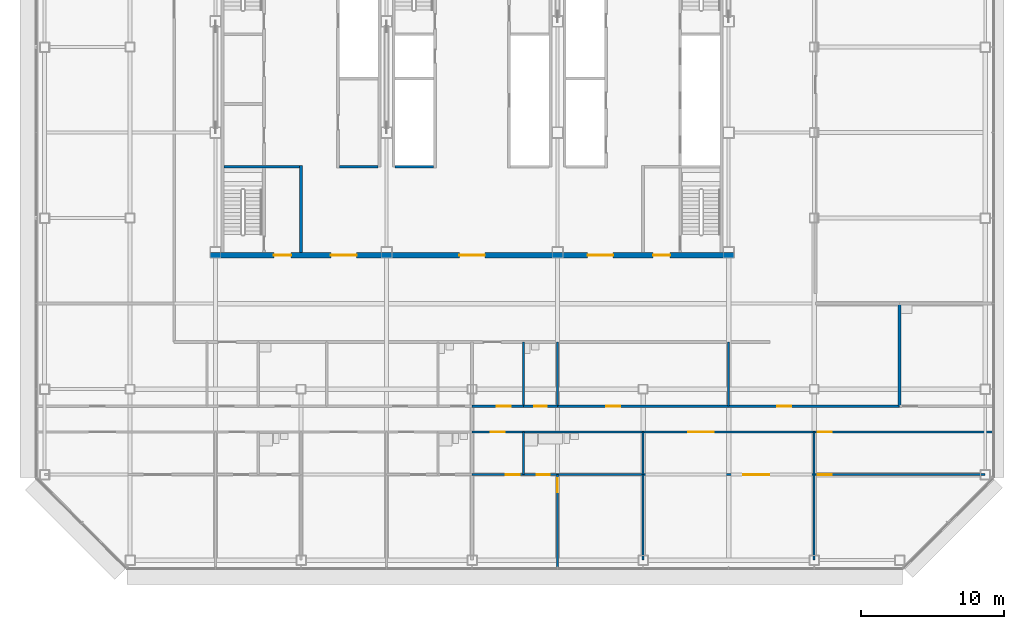
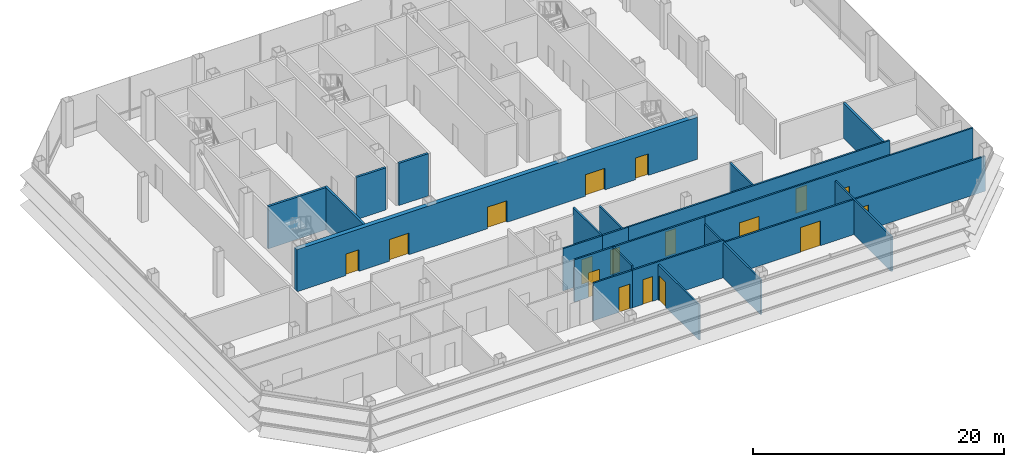
# One storey, part 20 of 26: 23 walls, 17 doors, 17 openings.
"""IFC4 building model written with IfcOpenShell, lengths in metres."""

from ifc_helpers import new_model, si_unit, direction, frame, frame_2d, origin, place, context, subcontext, project, spatial, rectangle, extrude, material, layer, layer_set, type_object, element, fill, save


model = new_model("IFC4")

# Units and contexts
model_context = context("Model", 3, precision=1e-05, world=origin(), true_north=direction((0.0, 1.0)))
body_context = subcontext(model_context, "Body", "Model", "MODEL_VIEW")
ifc_project = project(units=[si_unit("LENGTHUNIT", "METRE"), si_unit("AREAUNIT", "SQUARE_METRE"), si_unit("VOLUMEUNIT", "CUBIC_METRE"), si_unit("PLANEANGLEUNIT", "RADIAN"), si_unit("MASSUNIT", "GRAM", prefix="KILO")], contexts=[model_context])

# Site, building, storey
site_placement = place(None, origin())
site = spatial("IfcSite", under=ifc_project, at=site_placement, CompositionType="ELEMENT")
building_placement = place(site_placement, origin())
building = spatial("IfcBuilding", under=site, at=building_placement, Name="Sorahane Residences", CompositionType="ELEMENT")
storey_placement = place(building_placement, frame((0.0, 0.0, 181.60009765625)))
storey = spatial("IfcBuildingStorey", under=building, at=storey_placement, Name="L42", CompositionType="ELEMENT", Elevation=181.60009765625)

# Walls
ifc_material_1 = material(Name="Concrete C30", Category="concrete")
ifc_layer_1 = layer(ifc_material_1, 0.199951171875)
ifc_layer_set_1 = layer_set([ifc_layer_1], Name="Front room wall 200 EI 120")
wall_type_1 = type_object("IfcWallType", Name="Front room wall 200 EI 120", PredefinedType="PARTITIONING", material=ifc_layer_set_1)
wall_1_placement = place(storey_placement, frame((12.0, 21.60009765625, 0.0), z_axis=(0.0, 0.0, 1.0), x_axis=(0.0, 1.0, 0.0)))
element("IfcWall", 1, at=wall_1_placement, inside=storey, type_object=wall_type_1, Name="L42 front room wall", PredefinedType="PARTITIONING", context=body_context, shape_type="SweptSolid", body=[
    extrude(rectangle(XDim=6.099853515625, YDim=0.199951171875, at=frame_2d((3.0498046875, 0.0))), origin(), (0.0, 0.0, 1.0), 4.099853515625),
])
ifc_material_2 = material(Name="Concrete blockwork C20 wall", Category="masonry")
ifc_layer_2 = layer(ifc_material_2, 0.199951171875)
ifc_layer_set_2 = layer_set([ifc_layer_2], Name="Kitchen wall 200 EI 180")
wall_type_2 = type_object("IfcWallType", Name="Kitchen wall 200 EI 180", PredefinedType="SOLIDWALL", material=ifc_layer_set_2)
wall_2_placement = place(storey_placement, frame((54.0, 10.800048828125, 0.0), z_axis=(0.0, 0.0, 1.0), x_axis=(0.0, 1.0, 0.0)))
element("IfcWall", 2, at=wall_2_placement, inside=storey, type_object=wall_type_2, Name="L42 kitchen wall", PredefinedType="SOLIDWALL", context=body_context, shape_type="SweptSolid", body=[
    extrude(rectangle(XDim=7.199951171875, YDim=0.199951171875, at=frame_2d((3.60009765625, 0.0))), origin(), (0.0, 0.0, 1.0), 3.39990234375),
])
ifc_material_3 = material(Name="Concrete C30", Category="concrete")
ifc_layer_3 = layer(ifc_material_3, 0.199951171875)
ifc_layer_set_3 = layer_set([ifc_layer_3], Name="Lift shaft wall 200 EI 120")
wall_type_3 = type_object("IfcWallType", Name="Lift shaft wall 200 EI 120", PredefinedType="SOLIDWALL", material=ifc_layer_set_3)
wall_3_placement = place(storey_placement, frame((18.60009765625, 27.60009765625, 0.0), z_axis=(0.0, 0.0, 1.0), x_axis=(1.0, 0.0, 0.0)))
element("IfcWall", 3, at=wall_3_placement, inside=storey, type_object=wall_type_3, Name="L42 lift shaft wall", PredefinedType="SOLIDWALL", context=body_context, shape_type="SweptSolid", body=[
    extrude(rectangle(XDim=2.699951171875, YDim=0.199951171875, at=frame_2d((1.35009765625, 0.0))), origin(), (0.0, 0.0, 1.0), 4.099853515625),
])

# Wall, opening, door
ifc_material_4 = material(Name="Gypsum board partition on steel studs", Category="steel")
ifc_layer_4 = layer(ifc_material_4, 0.14990234375)
ifc_layer_set_4 = layer_set([ifc_layer_4], Name="Partition 150 EI 90")
wall_type_4 = type_object("IfcWallType", Name="Partition 150 EI 90", PredefinedType="PARTITIONING", material=ifc_layer_set_4)
wall_4_placement = place(storey_placement, frame((30.0, -0.60009765625, 0.0), z_axis=(0.0, 0.0, 1.0), x_axis=(0.0, 1.0, 0.0)))
wall_4 = element("IfcWall", 4, at=wall_4_placement, inside=storey, type_object=wall_type_4, Name="L42 partition", PredefinedType="PARTITIONING", context=body_context, shape_type="SweptSolid", body=[
    extrude(rectangle(XDim=6.60009765625, YDim=0.14990234375, at=frame_2d((3.300048828125, 0.0))), origin(), (0.0, 0.0, 1.0), 3.39990234375),
])
opening_1_placement = place(wall_4_placement, frame((5.35009765625, 0.0, 0.0)))
opening_1 = element("IfcOpeningElement", 5, at=opening_1_placement, cuts=wall_4, Name="Opening L42-24", PredefinedType="OPENING", context=body_context, shape_type="SweptSolid", body=[
    extrude(rectangle(XDim=1.0, YDim=2.39990234375, at=frame_2d((0.5, 1.199951171875))), frame((0.0, 0.0849609375, 0.0), z_axis=(0.0, -1.0, 0.0), x_axis=(1.0, 0.0, 0.0)), (0.0, 0.0, 1.0), 0.169921875),
])
ifc_material_5 = material(Name="Timber veneered fire door", Category="wood")
door_type_1 = type_object("IfcDoorType", Name="Room door 1000x2400 FD30", OperationType="NOTDEFINED", PredefinedType="DOOR", material=ifc_material_5)
door_1_placement = place(opening_1_placement, frame((1.0, 0.0, 0.0), z_axis=(0.0, 0.0, 1.0), x_axis=(-1.0, 0.0, 0.0)))
door_1 = element("IfcDoor", 6, at=door_1_placement, inside=storey, type_object=door_type_1, Name="Room door L42-24", OperationType="SINGLE_SWING_RIGHT", OverallHeight=2.39990234375, OverallWidth=1.0, PredefinedType="DOOR", context=body_context, shape_type="SweptSolid", body=[
    extrude(rectangle(XDim=1.0, YDim=2.39990234375, at=frame_2d((0.5, 1.199951171875))), frame((0.0, 0.02490234375, 0.0), z_axis=(0.0, -1.0, 0.0), x_axis=(1.0, 0.0, 0.0)), (0.0, 0.0, 1.0), 0.050048828125),
])
fill(opening_1, door_1)

# Walls
wall_5_placement = place(storey_placement, frame((36.0, 0.0, 0.0), z_axis=(0.0, 0.0, 1.0), x_axis=(0.0, 1.0, 0.0)))
element("IfcWall", 7, at=wall_5_placement, inside=storey, type_object=wall_type_4, Name="L42 partition", PredefinedType="PARTITIONING", context=body_context, shape_type="SweptSolid", body=[
    extrude(rectangle(XDim=6.0, YDim=0.14990234375, at=frame_2d((3.0, 0.0))), origin(), (0.0, 0.0, 1.0), 3.39990234375),
])
wall_6_placement = place(storey_placement, frame((42.0, 10.800048828125, 0.0), z_axis=(0.0, 0.0, 1.0), x_axis=(0.0, 1.0, 0.0)))
element("IfcWall", 8, at=wall_6_placement, inside=storey, type_object=wall_type_4, Name="L42 partition", PredefinedType="PARTITIONING", context=body_context, shape_type="SweptSolid", body=[
    extrude(rectangle(XDim=4.5, YDim=0.14990234375, at=frame_2d((2.25, 0.0))), origin(), (0.0, 0.0, 1.0), 3.39990234375),
])
wall_7_placement = place(storey_placement, frame((48.0, 0.0, 0.0), z_axis=(0.0, 0.0, 1.0), x_axis=(0.0, 1.0, 0.0)))
element("IfcWall", 9, at=wall_7_placement, inside=storey, type_object=wall_type_4, Name="L42 partition", PredefinedType="PARTITIONING", context=body_context, shape_type="SweptSolid", body=[
    extrude(rectangle(XDim=9.0, YDim=0.14990234375, at=frame_2d((4.5, 0.0))), origin(), (0.0, 0.0, 1.0), 3.39990234375),
])

# Wall, opening, door
wall_8_placement = place(storey_placement, frame((24.0, 10.800048828125, 0.0), z_axis=(0.0, 0.0, 1.0), x_axis=(1.0, 0.0, 0.0)))
wall_8 = element("IfcWall", 10, at=wall_8_placement, inside=storey, type_object=wall_type_4, Name="L42 partition", PredefinedType="PARTITIONING", context=body_context, shape_type="SweptSolid", body=[
    extrude(rectangle(XDim=3.60009765625, YDim=0.14990234375, at=frame_2d((1.800048828125, 0.0))), origin(), (0.0, 0.0, 1.0), 4.099853515625),
])
opening_2_placement = place(wall_8_placement, frame((1.719970703125, 0.0, 0.0)))
opening_2 = element("IfcOpeningElement", 11, at=opening_2_placement, cuts=wall_8, Name="Opening L42-15", PredefinedType="OPENING", context=body_context, shape_type="SweptSolid", body=[
    extrude(rectangle(XDim=1.0, YDim=2.39990234375, at=frame_2d((0.5, 1.199951171875))), frame((0.0, 0.0849609375, 0.0), z_axis=(0.0, -1.0, 0.0), x_axis=(1.0, 0.0, 0.0)), (0.0, 0.0, 1.0), 0.169921875),
])
door_2_placement = place(opening_2_placement, frame((1.0, 0.0, 0.0), z_axis=(0.0, 0.0, 1.0), x_axis=(-1.0, 0.0, 0.0)))
door_2 = element("IfcDoor", 12, at=door_2_placement, inside=storey, type_object=door_type_1, Name="Room door L42-15", OperationType="SINGLE_SWING_RIGHT", OverallHeight=2.39990234375, OverallWidth=1.0, PredefinedType="DOOR", context=body_context, shape_type="SweptSolid", body=[
    extrude(rectangle(XDim=1.0, YDim=2.39990234375, at=frame_2d((0.5, 1.199951171875))), frame((0.0, 0.02490234375, 0.0), z_axis=(0.0, -1.0, 0.0), x_axis=(1.0, 0.0, 0.0)), (0.0, 0.0, 1.0), 0.050048828125),
])
fill(opening_2, door_2)

# Wall, openings, doors
wall_9_placement = place(storey_placement, frame((30.0, 10.800048828125, 0.0), z_axis=(0.0, 0.0, 1.0), x_axis=(1.0, 0.0, 0.0)))
wall_9 = element("IfcWall", 13, at=wall_9_placement, inside=storey, type_object=wall_type_4, Name="L42 partition", PredefinedType="PARTITIONING", context=body_context, shape_type="SweptSolid", body=[
    extrude(rectangle(XDim=24.0, YDim=0.14990234375, at=frame_2d((12.0, 0.0))), origin(), (0.0, 0.0, 1.0), 4.099853515625),
])
opening_3_placement = place(wall_9_placement, frame((3.39990234375, 0.0, 0.0)))
opening_3 = element("IfcOpeningElement", 14, at=opening_3_placement, cuts=wall_9, Name="Opening L42-17", PredefinedType="OPENING", context=body_context, shape_type="SweptSolid", body=[
    extrude(rectangle(XDim=1.0, YDim=2.39990234375, at=frame_2d((0.5, 1.199951171875))), frame((0.0, 0.0849609375, 0.0), z_axis=(0.0, -1.0, 0.0), x_axis=(1.0, 0.0, 0.0)), (0.0, 0.0, 1.0), 0.169921875),
])
opening_4_placement = place(wall_9_placement, frame((15.39990234375, 0.0, 0.0)))
opening_4 = element("IfcOpeningElement", 15, at=opening_4_placement, cuts=wall_9, Name="Opening L42-18", PredefinedType="OPENING", context=body_context, shape_type="SweptSolid", body=[
    extrude(rectangle(XDim=1.0, YDim=2.39990234375, at=frame_2d((0.5, 1.199951171875))), frame((0.0, 0.0849609375, 0.0), z_axis=(0.0, -1.0, 0.0), x_axis=(1.0, 0.0, 0.0)), (0.0, 0.0, 1.0), 0.169921875),
])
door_3_placement = place(opening_3_placement, origin())
door_3 = element("IfcDoor", 16, at=door_3_placement, inside=storey, type_object=door_type_1, Name="Room door L42-17", OperationType="SINGLE_SWING_RIGHT", OverallHeight=2.39990234375, OverallWidth=1.0, PredefinedType="DOOR", context=body_context, shape_type="SweptSolid", body=[
    extrude(rectangle(XDim=1.0, YDim=2.39990234375, at=frame_2d((0.5, 1.199951171875))), frame((0.0, 0.02490234375, 0.0), z_axis=(0.0, -1.0, 0.0), x_axis=(1.0, 0.0, 0.0)), (0.0, 0.0, 1.0), 0.050048828125),
])
fill(opening_3, door_3)
door_4_placement = place(opening_4_placement, origin())
door_4 = element("IfcDoor", 17, at=door_4_placement, inside=storey, type_object=door_type_1, Name="Room door L42-18", OperationType="SINGLE_SWING_RIGHT", OverallHeight=2.39990234375, OverallWidth=1.0, PredefinedType="DOOR", context=body_context, shape_type="SweptSolid", body=[
    extrude(rectangle(XDim=1.0, YDim=2.39990234375, at=frame_2d((0.5, 1.199951171875))), frame((0.0, 0.02490234375, 0.0), z_axis=(0.0, -1.0, 0.0), x_axis=(1.0, 0.0, 0.0)), (0.0, 0.0, 1.0), 0.050048828125),
])
fill(opening_4, door_4)

# Wall, opening, door
wall_10_placement = place(storey_placement, frame((24.0, 6.0, 0.0), z_axis=(0.0, 0.0, 1.0), x_axis=(1.0, 0.0, 0.0)))
wall_10 = element("IfcWall", 18, at=wall_10_placement, inside=storey, type_object=wall_type_4, Name="L42 partition", PredefinedType="PARTITIONING", context=body_context, shape_type="SweptSolid", body=[
    extrude(rectangle(XDim=3.60009765625, YDim=0.14990234375, at=frame_2d((1.800048828125, 0.0))), origin(), (0.0, 0.0, 1.0), 3.64990234375),
])
opening_5_placement = place(wall_10_placement, frame((2.35009765625, 0.0, 0.0)))
opening_5 = element("IfcOpeningElement", 19, at=opening_5_placement, cuts=wall_10, Name="Opening L42-23", PredefinedType="OPENING", context=body_context, shape_type="SweptSolid", body=[
    extrude(rectangle(XDim=1.0, YDim=2.39990234375, at=frame_2d((0.5, 1.199951171875))), frame((0.0, 0.0849609375, 0.0), z_axis=(0.0, -1.0, 0.0), x_axis=(1.0, 0.0, 0.0)), (0.0, 0.0, 1.0), 0.169921875),
])
door_5_placement = place(opening_5_placement, frame((1.0, 0.0, 0.0), z_axis=(0.0, 0.0, 1.0), x_axis=(-1.0, 0.0, 0.0)))
door_5 = element("IfcDoor", 20, at=door_5_placement, inside=storey, type_object=door_type_1, Name="Room door L42-23", OperationType="SINGLE_SWING_RIGHT", OverallHeight=2.39990234375, OverallWidth=1.0, PredefinedType="DOOR", context=body_context, shape_type="SweptSolid", body=[
    extrude(rectangle(XDim=1.0, YDim=2.39990234375, at=frame_2d((0.5, 1.199951171875))), frame((0.0, 0.02490234375, 0.0), z_axis=(0.0, -1.0, 0.0), x_axis=(1.0, 0.0, 0.0)), (0.0, 0.0, 1.0), 0.050048828125),
])
fill(opening_5, door_5)

# Wall, openings, doors
wall_11_placement = place(storey_placement, frame((36.0, 6.0, 0.0), z_axis=(0.0, 0.0, 1.0), x_axis=(1.0, 0.0, 0.0)))
wall_11 = element("IfcWall", 21, at=wall_11_placement, inside=storey, type_object=wall_type_4, Name="L42 partition", PredefinedType="PARTITIONING", context=body_context, shape_type="SweptSolid", body=[
    extrude(rectangle(XDim=24.0, YDim=0.14990234375, at=frame_2d((12.0, 0.0))), origin(), (0.0, 0.0, 1.0), 3.39990234375),
])
opening_6_placement = place(wall_11_placement, frame((7.0400390625, 0.0, 0.0)))
opening_6 = element("IfcOpeningElement", 22, at=opening_6_placement, cuts=wall_11, Name="Opening L42-26", PredefinedType="OPENING", context=body_context, shape_type="SweptSolid", body=[
    extrude(rectangle(XDim=1.800048828125, YDim=2.39990234375, at=frame_2d((0.89990234375, 1.199951171875))), frame((0.0, 0.0849609375, 0.0), z_axis=(0.0, -1.0, 0.0), x_axis=(1.0, 0.0, 0.0)), (0.0, 0.0, 1.0), 0.169921875),
])
opening_7_placement = place(wall_11_placement, frame((12.25, 0.0, 0.0)))
opening_7 = element("IfcOpeningElement", 23, at=opening_7_placement, cuts=wall_11, Name="Opening L42-27", PredefinedType="OPENING", context=body_context, shape_type="SweptSolid", body=[
    extrude(rectangle(XDim=1.0, YDim=2.39990234375, at=frame_2d((0.5, 1.199951171875))), frame((0.0, 0.0849609375, 0.0), z_axis=(0.0, -1.0, 0.0), x_axis=(1.0, 0.0, 0.0)), (0.0, 0.0, 1.0), 0.169921875),
])
ifc_material_6 = material(Name="Timber veneered fire door", Category="wood")
door_type_2 = type_object("IfcDoorType", Name="Double door 1800x2400 FD30", OperationType="NOTDEFINED", PredefinedType="DOOR", material=ifc_material_6)
door_6_placement = place(opening_6_placement, frame((1.800048828125, 0.0, 0.0), z_axis=(0.0, 0.0, 1.0), x_axis=(-1.0, 0.0, 0.0)))
door_6 = element("IfcDoor", 24, at=door_6_placement, inside=storey, type_object=door_type_2, Name="Double door L42-26", OperationType="SINGLE_SWING_LEFT", OverallHeight=2.39990234375, OverallWidth=1.800048828125, PredefinedType="DOOR", context=body_context, shape_type="SweptSolid", body=[
    extrude(rectangle(XDim=1.800048828125, YDim=2.39990234375, at=frame_2d((0.89990234375, 1.199951171875))), frame((0.0, 0.02490234375, 0.0), z_axis=(0.0, -1.0, 0.0), x_axis=(1.0, 0.0, 0.0)), (0.0, 0.0, 1.0), 0.050048828125),
])
fill(opening_6, door_6)
door_7_placement = place(opening_7_placement, frame((1.0, 0.0, 0.0), z_axis=(0.0, 0.0, 1.0), x_axis=(-1.0, 0.0, 0.0)))
door_7 = element("IfcDoor", 25, at=door_7_placement, inside=storey, type_object=door_type_1, Name="Room door L42-27", OperationType="SINGLE_SWING_LEFT", OverallHeight=2.39990234375, OverallWidth=1.0, PredefinedType="DOOR", context=body_context, shape_type="SweptSolid", body=[
    extrude(rectangle(XDim=1.0, YDim=2.39990234375, at=frame_2d((0.5, 1.199951171875))), frame((0.0, 0.02490234375, 0.0), z_axis=(0.0, -1.0, 0.0), x_axis=(1.0, 0.0, 0.0)), (0.0, 0.0, 1.0), 0.050048828125),
])
fill(opening_7, door_7)

# Wall, opening, door
wall_12_placement = place(storey_placement, frame((24.0, 9.0, 0.0), z_axis=(0.0, 0.0, 1.0), x_axis=(1.0, 0.0, 0.0)))
wall_12 = element("IfcWall", 26, at=wall_12_placement, inside=storey, type_object=wall_type_4, Name="L42 partition", PredefinedType="PARTITIONING", context=body_context, shape_type="SweptSolid", body=[
    extrude(rectangle(XDim=3.60009765625, YDim=0.14990234375, at=frame_2d((1.800048828125, 0.0))), origin(), (0.0, 0.0, 1.0), 4.099853515625),
])
opening_8_placement = place(wall_12_placement, frame((1.300048828125, 0.0, 0.0)))
opening_8 = element("IfcOpeningElement", 27, at=opening_8_placement, cuts=wall_12, Name="Opening L42-20", PredefinedType="OPENING", context=body_context, shape_type="SweptSolid", body=[
    extrude(rectangle(XDim=1.0, YDim=2.39990234375, at=frame_2d((0.5, 1.199951171875))), frame((0.0, 0.0849609375, 0.0), z_axis=(0.0, -1.0, 0.0), x_axis=(1.0, 0.0, 0.0)), (0.0, 0.0, 1.0), 0.169921875),
])
door_8_placement = place(opening_8_placement, frame((1.0, 0.0, 0.0), z_axis=(0.0, 0.0, 1.0), x_axis=(-1.0, 0.0, 0.0)))
door_8 = element("IfcDoor", 28, at=door_8_placement, inside=storey, type_object=door_type_1, Name="Room door L42-20", OperationType="SINGLE_SWING_LEFT", OverallHeight=2.39990234375, OverallWidth=1.0, PredefinedType="DOOR", context=body_context, shape_type="SweptSolid", body=[
    extrude(rectangle(XDim=1.0, YDim=2.39990234375, at=frame_2d((0.5, 1.199951171875))), frame((0.0, 0.02490234375, 0.0), z_axis=(0.0, -1.0, 0.0), x_axis=(1.0, 0.0, 0.0)), (0.0, 0.0, 1.0), 0.050048828125),
])
fill(opening_8, door_8)

# Wall, openings, doors
wall_13_placement = place(storey_placement, frame((36.0, 9.0, 0.0), z_axis=(0.0, 0.0, 1.0), x_axis=(1.0, 0.0, 0.0)))
wall_13 = element("IfcWall", 29, at=wall_13_placement, inside=storey, type_object=wall_type_4, Name="L42 partition", PredefinedType="PARTITIONING", context=body_context, shape_type="SweptSolid", body=[
    extrude(rectangle(XDim=24.60009765625, YDim=0.14990234375, at=frame_2d((12.300048828125, 0.0))), origin(), (0.0, 0.0, 1.0), 4.099853515625),
])
opening_9_placement = place(wall_13_placement, frame((3.159912109375, 0.0, 0.0)))
opening_9 = element("IfcOpeningElement", 30, at=opening_9_placement, cuts=wall_13, Name="Opening L42-21", PredefinedType="OPENING", context=body_context, shape_type="SweptSolid", body=[
    extrude(rectangle(XDim=1.800048828125, YDim=2.39990234375, at=frame_2d((0.89990234375, 1.199951171875))), frame((0.0, 0.0849609375, 0.0), z_axis=(0.0, -1.0, 0.0), x_axis=(1.0, 0.0, 0.0)), (0.0, 0.0, 1.0), 0.169921875),
])
opening_10_placement = place(wall_13_placement, frame((12.25, 0.0, 0.0)))
opening_10 = element("IfcOpeningElement", 31, at=opening_10_placement, cuts=wall_13, Name="Opening L42-22", PredefinedType="OPENING", context=body_context, shape_type="SweptSolid", body=[
    extrude(rectangle(XDim=1.0, YDim=2.39990234375, at=frame_2d((0.5, 1.199951171875))), frame((0.0, 0.0849609375, 0.0), z_axis=(0.0, -1.0, 0.0), x_axis=(1.0, 0.0, 0.0)), (0.0, 0.0, 1.0), 0.169921875),
])
door_9_placement = place(opening_9_placement, frame((1.800048828125, 0.0, 0.0), z_axis=(0.0, 0.0, 1.0), x_axis=(-1.0, 0.0, 0.0)))
door_9 = element("IfcDoor", 32, at=door_9_placement, inside=storey, type_object=door_type_2, Name="Double door L42-21", OperationType="SINGLE_SWING_LEFT", OverallHeight=2.39990234375, OverallWidth=1.800048828125, PredefinedType="DOOR", context=body_context, shape_type="SweptSolid", body=[
    extrude(rectangle(XDim=1.800048828125, YDim=2.39990234375, at=frame_2d((0.89990234375, 1.199951171875))), frame((0.0, 0.02490234375, 0.0), z_axis=(0.0, -1.0, 0.0), x_axis=(1.0, 0.0, 0.0)), (0.0, 0.0, 1.0), 0.050048828125),
])
fill(opening_9, door_9)
door_10_placement = place(opening_10_placement, frame((1.0, 0.0, 0.0), z_axis=(0.0, 0.0, 1.0), x_axis=(-1.0, 0.0, 0.0)))
door_10 = element("IfcDoor", 33, at=door_10_placement, inside=storey, type_object=door_type_1, Name="Room door L42-22", OperationType="SINGLE_SWING_LEFT", OverallHeight=2.39990234375, OverallWidth=1.0, PredefinedType="DOOR", context=body_context, shape_type="SweptSolid", body=[
    extrude(rectangle(XDim=1.0, YDim=2.39990234375, at=frame_2d((0.5, 1.199951171875))), frame((0.0, 0.02490234375, 0.0), z_axis=(0.0, -1.0, 0.0), x_axis=(1.0, 0.0, 0.0)), (0.0, 0.0, 1.0), 0.050048828125),
])
fill(opening_10, door_10)

# Walls
ifc_material_7 = material(Name="Concrete C30", Category="concrete")
ifc_layer_5 = layer(ifc_material_7, 0.199951171875)
ifc_layer_set_5 = layer_set([ifc_layer_5], Name="Service room partition 200 EI 60")
wall_type_5 = type_object("IfcWallType", Name="Service room partition 200 EI 60", PredefinedType="PARTITIONING", material=ifc_layer_set_5)
wall_14_placement = place(storey_placement, frame((14.699951171875, 27.60009765625, 0.0), z_axis=(0.0, 0.0, 1.0), x_axis=(1.0, 0.0, 0.0)))
element("IfcWall", 34, at=wall_14_placement, inside=storey, type_object=wall_type_5, Name="L42 service room wall", PredefinedType="PARTITIONING", context=body_context, shape_type="SweptSolid", body=[
    extrude(rectangle(XDim=2.699951171875, YDim=0.199951171875, at=frame_2d((1.35009765625, 0.0))), origin(), (0.0, 0.0, 1.0), 4.099853515625),
])
ifc_material_8 = material(Name="Concrete C30", Category="concrete")
ifc_layer_6 = layer(ifc_material_8, 0.199951171875)
ifc_layer_set_6 = layer_set([ifc_layer_6], Name="Stair enclosure wall 200 EI 120")
wall_type_6 = type_object("IfcWallType", Name="Stair enclosure wall 200 EI 120", PredefinedType="SOLIDWALL", material=ifc_layer_set_6)
wall_15_placement = place(storey_placement, frame((6.60009765625, 27.60009765625, 0.0), z_axis=(0.0, 0.0, 1.0), x_axis=(1.0, 0.0, 0.0)))
element("IfcWall", 35, at=wall_15_placement, inside=storey, type_object=wall_type_6, Name="L42 stair enclosure wall", PredefinedType="SOLIDWALL", context=body_context, shape_type="SweptSolid", body=[
    extrude(rectangle(XDim=5.2998046875, YDim=0.199951171875, at=frame_2d((2.64990234375, 0.0))), origin(), (0.0, 0.0, 1.0), 4.099853515625),
])

# Wall, openings, doors
ifc_material_9 = material(Name="Concrete C30", Category="concrete")
ifc_layer_7 = layer(ifc_material_9, 0.39990234375)
ifc_layer_set_7 = layer_set([ifc_layer_7], Name="Waiting hall wall 400 EI 120")
wall_type_7 = type_object("IfcWallType", Name="Waiting hall wall 400 EI 120", PredefinedType="SOLIDWALL", material=ifc_layer_set_7)
wall_16_placement = place(storey_placement, frame((5.60009765625, 21.39990234375, 0.0), z_axis=(0.0, 0.0, 1.0), x_axis=(1.0, 0.0, 0.0)))
wall_16 = element("IfcWall", 36, at=wall_16_placement, inside=storey, type_object=wall_type_7, Name="L42 waiting hall wall", PredefinedType="SOLIDWALL", context=body_context, shape_type="SweptSolid", body=[
    extrude(rectangle(XDim=36.7998046875, YDim=0.39990234375, at=frame_2d((18.39990234375, 0.0))), origin(), (0.0, 0.0, 1.0), 4.099853515625),
])
opening_11_placement = place(wall_16_placement, frame((8.5, 0.0, 0.0)))
opening_11 = element("IfcOpeningElement", 37, at=opening_11_placement, cuts=wall_16, Name="Opening L42-C01", PredefinedType="OPENING", context=body_context, shape_type="SweptSolid", body=[
    extrude(rectangle(XDim=1.800048828125, YDim=2.10009765625, at=frame_2d((0.89990234375, 1.050048828125))), frame((0.0, 0.2099609375, 0.0), z_axis=(0.0, -1.0, 0.0), x_axis=(1.0, 0.0, 0.0)), (0.0, 0.0, 1.0), 0.419921875),
])
opening_12_placement = place(wall_16_placement, frame((17.5, 0.0, 0.0)))
opening_12 = element("IfcOpeningElement", 38, at=opening_12_placement, cuts=wall_16, Name="Opening L42-C02", PredefinedType="OPENING", context=body_context, shape_type="SweptSolid", body=[
    extrude(rectangle(XDim=1.800048828125, YDim=2.10009765625, at=frame_2d((0.89990234375, 1.050048828125))), frame((0.0, 0.2099609375, 0.0), z_axis=(0.0, -1.0, 0.0), x_axis=(1.0, 0.0, 0.0)), (0.0, 0.0, 1.0), 0.419921875),
])
opening_13_placement = place(wall_16_placement, frame((26.5, 0.0, 0.0)))
opening_13 = element("IfcOpeningElement", 39, at=opening_13_placement, cuts=wall_16, Name="Opening L42-C03", PredefinedType="OPENING", context=body_context, shape_type="SweptSolid", body=[
    extrude(rectangle(XDim=1.800048828125, YDim=2.10009765625, at=frame_2d((0.89990234375, 1.050048828125))), frame((0.0, 0.2099609375, 0.0), z_axis=(0.0, -1.0, 0.0), x_axis=(1.0, 0.0, 0.0)), (0.0, 0.0, 1.0), 0.419921875),
])
opening_14_placement = place(wall_16_placement, frame((4.5, 0.0, 0.0)))
opening_14 = element("IfcOpeningElement", 40, at=opening_14_placement, cuts=wall_16, Name="Opening L42-C04", PredefinedType="OPENING", context=body_context, shape_type="SweptSolid", body=[
    extrude(rectangle(XDim=1.199951171875, YDim=2.10009765625, at=frame_2d((0.60009765625, 1.050048828125))), frame((0.0, 0.2099609375, 0.0), z_axis=(0.0, -1.0, 0.0), x_axis=(1.0, 0.0, 0.0)), (0.0, 0.0, 1.0), 0.419921875),
])
opening_15_placement = place(wall_16_placement, frame((31.10009765625, 0.0, 0.0)))
opening_15 = element("IfcOpeningElement", 41, at=opening_15_placement, cuts=wall_16, Name="Opening L42-C05", PredefinedType="OPENING", context=body_context, shape_type="SweptSolid", body=[
    extrude(rectangle(XDim=1.199951171875, YDim=2.10009765625, at=frame_2d((0.60009765625, 1.050048828125))), frame((0.0, 0.2099609375, 0.0), z_axis=(0.0, -1.0, 0.0), x_axis=(1.0, 0.0, 0.0)), (0.0, 0.0, 1.0), 0.419921875),
])
ifc_material_10 = material(Name="Steel", Category="steel")
door_type_3 = type_object("IfcDoorType", Name="Stair front room door 1200x2100 FD120", OperationType="NOTDEFINED", PredefinedType="DOOR", material=ifc_material_10)
door_11_placement = place(opening_14_placement, frame((1.199951171875, 0.0, 0.0), z_axis=(0.0, 0.0, 1.0), x_axis=(-1.0, 0.0, 0.0)))
door_11 = element("IfcDoor", 42, at=door_11_placement, inside=storey, type_object=door_type_3, Name="Stair front room door Stair S4 front room L42", OperationType="SINGLE_SWING_LEFT", OverallHeight=2.10009765625, OverallWidth=1.199951171875, PredefinedType="DOOR", context=body_context, shape_type="SweptSolid", body=[
    extrude(rectangle(XDim=1.199951171875, YDim=2.10009765625, at=frame_2d((0.60009765625, 1.050048828125))), frame((0.0, 0.02490234375, 0.0), z_axis=(0.0, -1.0, 0.0), x_axis=(1.0, 0.0, 0.0)), (0.0, 0.0, 1.0), 0.050048828125),
])
fill(opening_14, door_11)
door_12_placement = place(opening_15_placement, frame((1.199951171875, 0.0, 0.0), z_axis=(0.0, 0.0, 1.0), x_axis=(-1.0, 0.0, 0.0)))
door_12 = element("IfcDoor", 43, at=door_12_placement, inside=storey, type_object=door_type_3, Name="Stair front room door Stair S5 front room L42", OperationType="SINGLE_SWING_LEFT", OverallHeight=2.10009765625, OverallWidth=1.199951171875, PredefinedType="DOOR", context=body_context, shape_type="SweptSolid", body=[
    extrude(rectangle(XDim=1.199951171875, YDim=2.10009765625, at=frame_2d((0.60009765625, 1.050048828125))), frame((0.0, 0.02490234375, 0.0), z_axis=(0.0, -1.0, 0.0), x_axis=(1.0, 0.0, 0.0)), (0.0, 0.0, 1.0), 0.050048828125),
])
fill(opening_15, door_12)
ifc_material_11 = material(Name="Steel", Category="steel")
door_type_4 = type_object("IfcDoorType", Name="Waiting hall door 1800x2100 FD60", OperationType="NOTDEFINED", PredefinedType="DOOR", material=ifc_material_11)
door_13_placement = place(opening_11_placement, frame((1.800048828125, 0.0, 0.0), z_axis=(0.0, 0.0, 1.0), x_axis=(-1.0, 0.0, 0.0)))
door_13 = element("IfcDoor", 44, at=door_13_placement, inside=storey, type_object=door_type_4, Name="Waiting hall door Residents' waiting hall L42", OperationType="SINGLE_SWING_LEFT", OverallHeight=2.10009765625, OverallWidth=1.800048828125, PredefinedType="DOOR", context=body_context, shape_type="SweptSolid", body=[
    extrude(rectangle(XDim=1.800048828125, YDim=2.10009765625, at=frame_2d((0.89990234375, 1.050048828125))), frame((0.0, 0.02490234375, 0.0), z_axis=(0.0, -1.0, 0.0), x_axis=(1.0, 0.0, 0.0)), (0.0, 0.0, 1.0), 0.050048828125),
])
fill(opening_11, door_13)
door_14_placement = place(opening_12_placement, frame((1.800048828125, 0.0, 0.0), z_axis=(0.0, 0.0, 1.0), x_axis=(-1.0, 0.0, 0.0)))
door_14 = element("IfcDoor", 45, at=door_14_placement, inside=storey, type_object=door_type_4, Name="Waiting hall door Residents' waiting hall L42", OperationType="SINGLE_SWING_LEFT", OverallHeight=2.10009765625, OverallWidth=1.800048828125, PredefinedType="DOOR", context=body_context, shape_type="SweptSolid", body=[
    extrude(rectangle(XDim=1.800048828125, YDim=2.10009765625, at=frame_2d((0.89990234375, 1.050048828125))), frame((0.0, 0.02490234375, 0.0), z_axis=(0.0, -1.0, 0.0), x_axis=(1.0, 0.0, 0.0)), (0.0, 0.0, 1.0), 0.050048828125),
])
fill(opening_12, door_14)
door_15_placement = place(opening_13_placement, frame((1.800048828125, 0.0, 0.0), z_axis=(0.0, 0.0, 1.0), x_axis=(-1.0, 0.0, 0.0)))
door_15 = element("IfcDoor", 46, at=door_15_placement, inside=storey, type_object=door_type_4, Name="Waiting hall door Residents' waiting hall L42", OperationType="SINGLE_SWING_LEFT", OverallHeight=2.10009765625, OverallWidth=1.800048828125, PredefinedType="DOOR", context=body_context, shape_type="SweptSolid", body=[
    extrude(rectangle(XDim=1.800048828125, YDim=2.10009765625, at=frame_2d((0.89990234375, 1.050048828125))), frame((0.0, 0.02490234375, 0.0), z_axis=(0.0, -1.0, 0.0), x_axis=(1.0, 0.0, 0.0)), (0.0, 0.0, 1.0), 0.050048828125),
])
fill(opening_13, door_15)

# Walls
ifc_material_12 = material(Name="Gypsum board partition on steel studs", Category="steel")
ifc_layer_8 = layer(ifc_material_12, 0.14990234375)
ifc_layer_set_8 = layer_set([ifc_layer_8], Name="Wet wall 150 EI 90")
wall_type_8 = type_object("IfcWallType", Name="Wet wall 150 EI 90", PredefinedType="PARTITIONING", material=ifc_layer_set_8)
wall_17_placement = place(storey_placement, frame((27.60009765625, 6.0, 0.0), z_axis=(0.0, 0.0, 1.0), x_axis=(0.0, 1.0, 0.0)))
element("IfcWall", 47, at=wall_17_placement, inside=storey, type_object=wall_type_8, Name="L42 wet wall", PredefinedType="PARTITIONING", context=body_context, shape_type="SweptSolid", body=[
    extrude(rectangle(XDim=3.0, YDim=0.14990234375, at=frame_2d((1.5, 0.0))), origin(), (0.0, 0.0, 1.0), 4.099853515625),
])
wall_18_placement = place(storey_placement, frame((27.60009765625, 10.800048828125, 0.0), z_axis=(0.0, 0.0, 1.0), x_axis=(0.0, 1.0, 0.0)))
element("IfcWall", 48, at=wall_18_placement, inside=storey, type_object=wall_type_8, Name="L42 wet wall", PredefinedType="PARTITIONING", context=body_context, shape_type="SweptSolid", body=[
    extrude(rectangle(XDim=4.5, YDim=0.14990234375, at=frame_2d((2.25, 0.0))), origin(), (0.0, 0.0, 1.0), 4.099853515625),
])
wall_19_placement = place(storey_placement, frame((30.0, 10.800048828125, 0.0), z_axis=(0.0, 0.0, 1.0), x_axis=(0.0, 1.0, 0.0)))
element("IfcWall", 49, at=wall_19_placement, inside=storey, type_object=wall_type_8, Name="L42 wet wall", PredefinedType="PARTITIONING", context=body_context, shape_type="SweptSolid", body=[
    extrude(rectangle(XDim=4.5, YDim=0.14990234375, at=frame_2d((2.25, 0.0))), origin(), (0.0, 0.0, 1.0), 3.39990234375),
])
wall_20_placement = place(storey_placement, frame((36.0, 6.0, 0.0), z_axis=(0.0, 0.0, 1.0), x_axis=(0.0, 1.0, 0.0)))
element("IfcWall", 50, at=wall_20_placement, inside=storey, type_object=wall_type_8, Name="L42 wet wall", PredefinedType="PARTITIONING", context=body_context, shape_type="SweptSolid", body=[
    extrude(rectangle(XDim=3.0, YDim=0.14990234375, at=frame_2d((1.5, 0.0))), origin(), (0.0, 0.0, 1.0), 3.39990234375),
])

# Wall, opening, door
wall_21_placement = place(storey_placement, frame((27.60009765625, 10.800048828125, 0.0), z_axis=(0.0, 0.0, 1.0), x_axis=(1.0, 0.0, 0.0)))
wall_21 = element("IfcWall", 51, at=wall_21_placement, inside=storey, type_object=wall_type_8, Name="L42 wet wall", PredefinedType="PARTITIONING", context=body_context, shape_type="SweptSolid", body=[
    extrude(rectangle(XDim=2.39990234375, YDim=0.14990234375, at=frame_2d((1.199951171875, 0.0))), origin(), (0.0, 0.0, 1.0), 4.099853515625),
])
opening_16_placement = place(wall_21_placement, frame((0.75, 0.0, 0.0)))
opening_16 = element("IfcOpeningElement", 52, at=opening_16_placement, cuts=wall_21, Name="Opening L42-16", PredefinedType="OPENING", context=body_context, shape_type="SweptSolid", body=[
    extrude(rectangle(XDim=0.89990234375, YDim=2.39990234375, at=frame_2d((0.449951171875, 1.199951171875))), frame((0.0, 0.0849609375, 0.0), z_axis=(0.0, -1.0, 0.0), x_axis=(1.0, 0.0, 0.0)), (0.0, 0.0, 1.0), 0.169921875),
])
ifc_material_13 = material(Name="Timber veneered fire door", Category="wood")
door_type_5 = type_object("IfcDoorType", Name="Bathroom door 900x2400 FD30", OperationType="NOTDEFINED", PredefinedType="DOOR", material=ifc_material_13)
door_16_placement = place(opening_16_placement, frame((0.89990234375, 0.0, 0.0), z_axis=(0.0, 0.0, 1.0), x_axis=(-1.0, 0.0, 0.0)))
door_16 = element("IfcDoor", 53, at=door_16_placement, inside=storey, type_object=door_type_5, Name="Bathroom door L42-16", OperationType="SINGLE_SWING_RIGHT", OverallHeight=2.39990234375, OverallWidth=0.89990234375, PredefinedType="DOOR", context=body_context, shape_type="SweptSolid", body=[
    extrude(rectangle(XDim=0.89990234375, YDim=2.39990234375, at=frame_2d((0.449951171875, 1.199951171875))), frame((0.0, 0.02490234375, 0.0), z_axis=(0.0, -1.0, 0.0), x_axis=(1.0, 0.0, 0.0)), (0.0, 0.0, 1.0), 0.050048828125),
])
fill(opening_16, door_16)

wall_22_placement = place(storey_placement, frame((27.60009765625, 6.0, 0.0), z_axis=(0.0, 0.0, 1.0), x_axis=(1.0, 0.0, 0.0)))
wall_22 = element("IfcWall", 54, at=wall_22_placement, inside=storey, type_object=wall_type_8, Name="L42 wet wall", PredefinedType="PARTITIONING", context=body_context, shape_type="SweptSolid", body=[
    extrude(rectangle(XDim=8.39990234375, YDim=0.14990234375, at=frame_2d((4.199951171875, 0.0))), origin(), (0.0, 0.0, 1.0), 3.64990234375),
])
opening_17_placement = place(wall_22_placement, frame((0.949951171875, 0.0, 0.0)))
opening_17 = element("IfcOpeningElement", 55, at=opening_17_placement, cuts=wall_22, Name="Opening L42-25", PredefinedType="OPENING", context=body_context, shape_type="SweptSolid", body=[
    extrude(rectangle(XDim=0.89990234375, YDim=2.39990234375, at=frame_2d((0.449951171875, 1.199951171875))), frame((0.0, 0.0849609375, 0.0), z_axis=(0.0, -1.0, 0.0), x_axis=(1.0, 0.0, 0.0)), (0.0, 0.0, 1.0), 0.169921875),
])
door_17_placement = place(opening_17_placement, frame((0.89990234375, 0.0, 0.0), z_axis=(0.0, 0.0, 1.0), x_axis=(-1.0, 0.0, 0.0)))
door_17 = element("IfcDoor", 56, at=door_17_placement, inside=storey, type_object=door_type_5, Name="Bathroom door L42-25", OperationType="SINGLE_SWING_RIGHT", OverallHeight=2.39990234375, OverallWidth=0.89990234375, PredefinedType="DOOR", context=body_context, shape_type="SweptSolid", body=[
    extrude(rectangle(XDim=0.89990234375, YDim=2.39990234375, at=frame_2d((0.449951171875, 1.199951171875))), frame((0.0, 0.02490234375, 0.0), z_axis=(0.0, -1.0, 0.0), x_axis=(1.0, 0.0, 0.0)), (0.0, 0.0, 1.0), 0.050048828125),
])
fill(opening_17, door_17)

# Wall
wall_23_placement = place(storey_placement, frame((27.60009765625, 9.0, 0.0), z_axis=(0.0, 0.0, 1.0), x_axis=(1.0, 0.0, 0.0)))
element("IfcWall", 57, at=wall_23_placement, inside=storey, type_object=wall_type_8, Name="L42 wet wall", PredefinedType="PARTITIONING", context=body_context, shape_type="SweptSolid", body=[
    extrude(rectangle(XDim=8.39990234375, YDim=0.14990234375, at=frame_2d((4.199951171875, 0.0))), origin(), (0.0, 0.0, 1.0), 4.099853515625),
])

save(model, "model.ifc")
